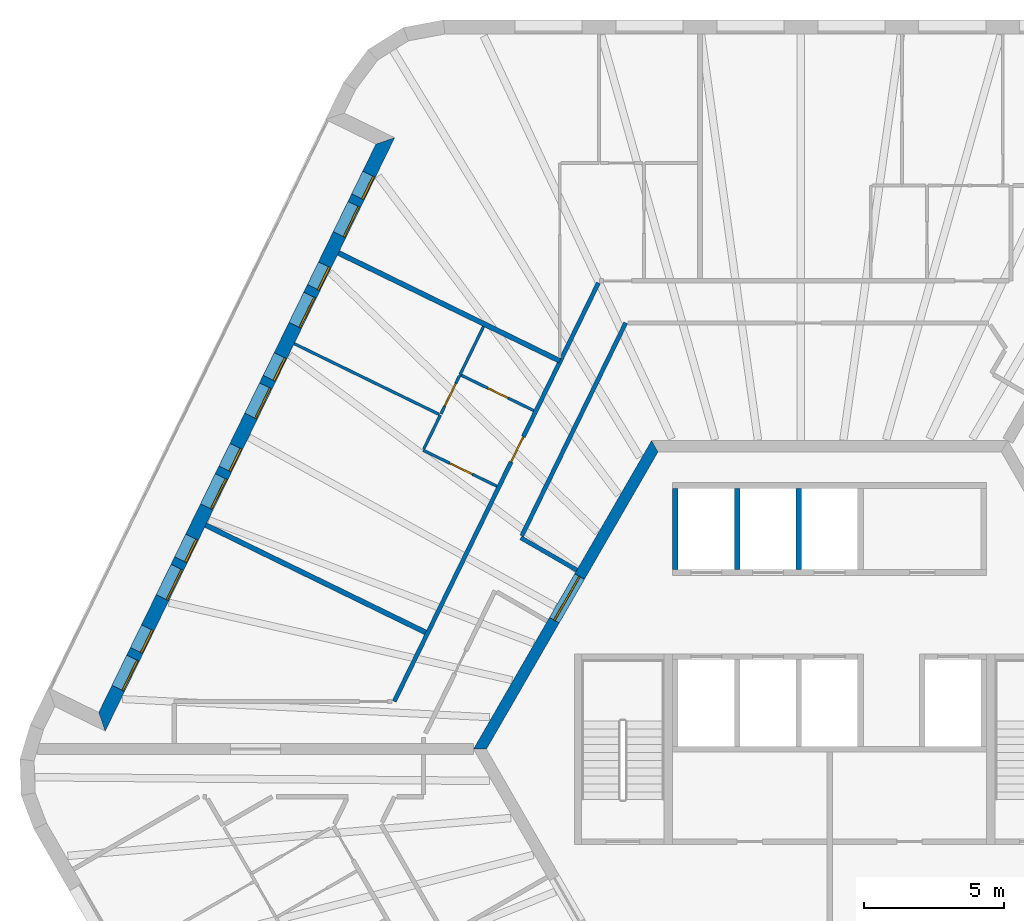
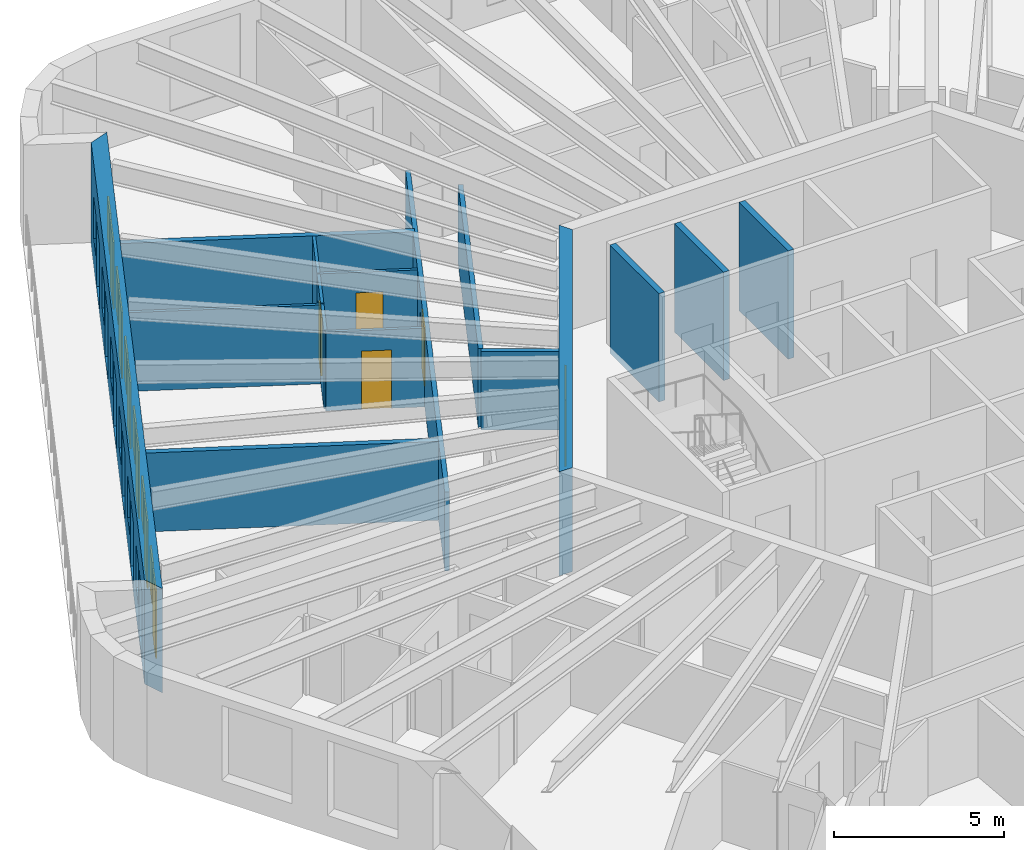
# One storey, part 8 of 12: 16 walls, 11 doors, 6 windows, 17 openings.
"""IFC4 building model written with IfcOpenShell, lengths in metres."""

from ifc_helpers import new_model, si_unit, direction, frame, frame_2d, origin, place, context, subcontext, project, spatial, polyline, rectangle, outline, extrude, material, layer, layer_set, type_object, element, fill, save


model = new_model("IFC4")

# Units and contexts
model_context = context("Model", 3, precision=1e-05, world=origin(), true_north=direction((0.0, 1.0)))
body_context = subcontext(model_context, "Body", "Model", "MODEL_VIEW")
ifc_project = project(units=[si_unit("LENGTHUNIT", "METRE"), si_unit("AREAUNIT", "SQUARE_METRE"), si_unit("VOLUMEUNIT", "CUBIC_METRE"), si_unit("PLANEANGLEUNIT", "RADIAN"), si_unit("MASSUNIT", "GRAM", prefix="KILO")], contexts=[model_context])

# Site, building, storey
site_placement = place(None, origin())
site = spatial("IfcSite", under=ifc_project, at=site_placement, CompositionType="ELEMENT")
building_placement = place(site_placement, origin())
building = spatial("IfcBuilding", under=site, at=building_placement, Name="Tarnside Tower", CompositionType="ELEMENT")
storey_placement = place(building_placement, frame((0.0, 0.0, 334.199951171875)))
storey = spatial("IfcBuildingStorey", under=building, at=storey_placement, Name="L81", CompositionType="ELEMENT", Elevation=334.199951171875)

# Wall, opening, door
ifc_material_1 = material(Name="Gypsum board partition on steel studs", Category="steel")
ifc_layer_1 = layer(ifc_material_1, 0.10009765625)
ifc_layer_set_1 = layer_set([ifc_layer_1], Name="Bathroom wall 100")
wall_type_1 = type_object("IfcWallType", Name="Bathroom wall 100", PredefinedType="PARTITIONING", material=ifc_layer_set_1)
wall_1_placement = place(storey_placement, frame((-10.551025390625, 12.07177734375, 0.0), z_axis=(0.0, 0.0, 1.0), x_axis=(-0.898790906006, 0.438377585285, 0.0)))
wall_1 = element("IfcWall", 1, at=wall_1_placement, inside=storey, type_object=wall_type_1, Name="Bathroom wall 26106", PredefinedType="PARTITIONING", context=body_context, shape_type="SweptSolid", body=[
    extrude(rectangle(XDim=2.925048828125, YDim=0.10009765625, at=frame_2d((1.46240234375, 0.0))), origin(), (0.0, 0.0, 1.0), 2.837890625),
])
opening_1_placement = place(wall_1_placement, frame((1.02490234375, 0.0, 0.0)))
opening_1 = element("IfcOpeningElement", 2, at=opening_1_placement, cuts=wall_1, Name="Opening D-B1", PredefinedType="OPENING", context=body_context, shape_type="SweptSolid", body=[
    extrude(rectangle(XDim=0.800048828125, YDim=2.10009765625, at=frame_2d((0.39990234375, 1.050048828125))), frame((0.0, 0.06005859375, 0.0), z_axis=(0.0, -1.0, 0.0), x_axis=(1.0, 0.0, 0.0)), (0.0, 0.0, 1.0), 0.1201171875),
])
ifc_material_2 = material(Name="Timber door leaf", Category="wood")
door_type_1 = type_object("IfcDoorType", Name="Bathroom door 800", OperationType="NOTDEFINED", PredefinedType="DOOR", material=ifc_material_2)
door_1_placement = place(opening_1_placement, origin())
door_1 = element("IfcDoor", 3, at=door_1_placement, inside=storey, type_object=door_type_1, Name="Bathroom door 26015", OperationType="SINGLE_SWING_RIGHT", OverallHeight=2.10009765625, OverallWidth=0.800048828125, PredefinedType="DOOR", context=body_context, shape_type="SweptSolid", body=[
    extrude(rectangle(XDim=0.800048828125, YDim=2.10009765625, at=frame_2d((0.39990234375, 1.050048828125))), frame((0.0, 0.02490234375, 0.0), z_axis=(0.0, -1.0, 0.0), x_axis=(1.0, 0.0, 0.0)), (0.0, 0.0, 1.0), 0.050048828125),
])
fill(opening_1, door_1)

# Wall
wall_2_placement = place(storey_placement, frame((-12.342529296875, 15.070556640625, 0.0), z_axis=(0.0, 0.0, 1.0), x_axis=(-0.438458849983, -0.898751265296, 0.0)))
element("IfcWall", 4, at=wall_2_placement, inside=storey, type_object=wall_type_1, Name="Bathroom wall 26108", PredefinedType="PARTITIONING", context=body_context, shape_type="SweptSolid", body=[
    extrude(rectangle(XDim=1.912109375, YDim=0.10009765625, at=frame_2d((0.9560546875, 0.0))), origin(), (0.0, 0.0, 1.0), 2.837890625),
])

# Wall, opening, door
ifc_material_3 = material(Name="Concrete C60/75", Category="concrete")
ifc_layer_2 = layer(ifc_material_3, 0.39990234375)
ifc_layer_set_2 = layer_set([ifc_layer_2], Name="Core wall Z3 400 C60/75")
wall_type_2 = type_object("IfcWallType", Name="Core wall Z3 400 C60/75", PredefinedType="SHEAR", material=ifc_layer_set_2)
wall_3_placement = place(storey_placement, frame((-6.2353515625, 10.800048828125, -0.14990234375), z_axis=(0.0, 0.0, 1.0), x_axis=(-0.499996419489, -0.866027470984, 0.0)))
wall_3 = element("IfcWall", 5, at=wall_3_placement, inside=storey, type_object=wall_type_2, Name="L81 core wall face 2", PredefinedType="SHEAR", context=body_context, shape_type="SweptSolid", body=[
    extrude(outline(polyline([(-0.115478515625, -0.199951171875), (12.586181640625, -0.199951171875), (12.355224609375, 0.199951171875), (0.115478515625, 0.199951171875), (-0.115478515625, -0.199951171875)])), origin(), (0.0, 0.0, 1.0), 3.75),
])
opening_2_placement = place(wall_3_placement, frame((5.3642578125, 0.0, 0.14990234375)))
opening_2 = element("IfcOpeningElement", 6, at=opening_2_placement, cuts=wall_3, Name="Opening CD-LOB", PredefinedType="OPENING", context=body_context, shape_type="SweptSolid", body=[
    extrude(rectangle(XDim=1.800048828125, YDim=2.39990234375, at=frame_2d((0.89990234375, 1.199951171875))), frame((0.0, 0.2099609375, 0.0), z_axis=(0.0, -1.0, 0.0), x_axis=(1.0, 0.0, 0.0)), (0.0, 0.0, 1.0), 0.419921875),
])
ifc_material_4 = material(Name="Steel fire door", Category="steel")
door_type_2 = type_object("IfcDoorType", Name="Lobby double door FD30S 1800x2400", OperationType="NOTDEFINED", PredefinedType="DOOR", material=ifc_material_4)
door_2_placement = place(opening_2_placement, origin())
door_2 = element("IfcDoor", 7, at=door_2_placement, inside=storey, type_object=door_type_2, Name="L81 core door P1", OperationType="DOUBLE_DOOR_SINGLE_SWING", OverallHeight=2.39990234375, OverallWidth=1.800048828125, PredefinedType="DOOR", context=body_context, shape_type="SweptSolid", body=[
    extrude(rectangle(XDim=1.800048828125, YDim=2.39990234375, at=frame_2d((0.89990234375, 1.199951171875))), frame((0.0, 0.02490234375, 0.0), z_axis=(0.0, -1.0, 0.0), x_axis=(1.0, 0.0, 0.0)), (0.0, 0.0, 1.0), 0.050048828125),
])
fill(opening_2, door_2)

ifc_layer_3 = layer(ifc_material_1, 0.14990234375)
ifc_layer_set_3 = layer_set([ifc_layer_3], Name="Corridor wall 150 EI 60")
wall_type_3 = type_object("IfcWallType", Name="Corridor wall 150 EI 60", PredefinedType="PARTITIONING", material=ifc_layer_set_3)
wall_4_placement = place(storey_placement, frame((-8.24658203125, 16.625, 0.0), z_axis=(0.0, 0.0, 1.0), x_axis=(-0.438376416131, -0.89879147625, 0.0)))
wall_4 = element("IfcWall", 8, at=wall_4_placement, inside=storey, type_object=wall_type_3, Name="Corridor wall 26009", PredefinedType="PARTITIONING", context=body_context, shape_type="SweptSolid", body=[
    extrude(rectangle(XDim=16.605712890625, YDim=0.14990234375, at=frame_2d((8.302734375, 0.0))), origin(), (0.0, 0.0, 1.0), 2.837890625),
])
opening_3_placement = place(wall_4_placement, frame((6.1025390625, 0.0, 0.0)))
opening_3 = element("IfcOpeningElement", 9, at=opening_3_placement, cuts=wall_4, Name="Opening D-E1", PredefinedType="OPENING", context=body_context, shape_type="SweptSolid", body=[
    extrude(rectangle(XDim=1.0, YDim=2.10009765625, at=frame_2d((0.5, 1.050048828125))), frame((0.0, 0.0849609375, 0.0), z_axis=(0.0, -1.0, 0.0), x_axis=(1.0, 0.0, 0.0)), (0.0, 0.0, 1.0), 0.169921875),
])
door_type_3 = type_object("IfcDoorType", Name="Unit entrance door 1000 FD30S", OperationType="NOTDEFINED", PredefinedType="DOOR", material=ifc_material_2)
door_3_placement = place(opening_3_placement, origin())
door_3 = element("IfcDoor", 10, at=door_3_placement, inside=storey, type_object=door_type_3, Name="Unit door 26014", OperationType="SINGLE_SWING_LEFT", OverallHeight=2.10009765625, OverallWidth=1.0, PredefinedType="DOOR", context=body_context, shape_type="SweptSolid", body=[
    extrude(rectangle(XDim=1.0, YDim=2.10009765625, at=frame_2d((0.5, 1.050048828125))), frame((0.0, 0.02490234375, 0.0), z_axis=(0.0, -1.0, 0.0), x_axis=(1.0, 0.0, 0.0)), (0.0, 0.0, 1.0), 0.050048828125),
])
fill(opening_3, door_3)

# Walls
wall_5_placement = place(storey_placement, frame((-9.015625, 6.38427734375, 0.0), z_axis=(0.0, 0.0, 1.0), x_axis=(-0.866030286288, 0.49999154316, 0.0)))
element("IfcWall", 11, at=wall_5_placement, inside=storey, type_object=wall_type_3, Name="Corridor wall 26017", PredefinedType="PARTITIONING", context=body_context, shape_type="SweptSolid", body=[
    extrude(rectangle(XDim=2.3037109375, YDim=0.14990234375, at=frame_2d((1.15185546875, 0.0))), origin(), (0.0, 0.0, 1.0), 2.837890625),
])
wall_6_placement = place(storey_placement, frame((-10.977783203125, 7.603759765625, 0.0), z_axis=(0.0, 0.0, 1.0), x_axis=(0.43838720727, 0.898786212902, 0.0)))
element("IfcWall", 12, at=wall_6_placement, inside=storey, type_object=wall_type_3, Name="Corridor wall 26018", PredefinedType="PARTITIONING", context=body_context, shape_type="SweptSolid", body=[
    extrude(rectangle(XDim=8.45166015625, YDim=0.14990234375, at=frame_2d((4.225830078125, 0.0))), origin(), (0.0, 0.0, 1.0), 2.837890625),
])
ifc_layer_4 = layer(ifc_material_1, 0.179931640625)
ifc_layer_set_4 = layer_set([ifc_layer_4], Name="Demising wall 180 EI 60")
wall_type_4 = type_object("IfcWallType", Name="Demising wall 180 EI 60", PredefinedType="PARTITIONING", material=ifc_layer_set_4)
wall_7_placement = place(storey_placement, frame((-17.51611328125, 17.694091796875, 0.0), z_axis=(0.0, 0.0, 1.0), x_axis=(0.898787414812, -0.438384743092, 0.0)))
element("IfcWall", 13, at=wall_7_placement, inside=storey, type_object=wall_type_4, Name="Demising wall 26097", PredefinedType="PARTITIONING", context=body_context, shape_type="SweptSolid", body=[
    extrude(rectangle(XDim=8.781982421875, YDim=0.179931640625, at=frame_2d((4.39111328125, 0.0))), origin(), (0.0, 0.0, 1.0), 2.837890625),
])
wall_8_placement = place(storey_placement, frame((-22.25048828125, 7.987060546875, 0.0), z_axis=(0.0, 0.0, 1.0), x_axis=(0.898793723754, -0.438371808105, 0.0)))
element("IfcWall", 14, at=wall_8_placement, inside=storey, type_object=wall_type_4, Name="Demising wall 26105", PredefinedType="PARTITIONING", context=body_context, shape_type="SweptSolid", body=[
    extrude(rectangle(XDim=8.724853515625, YDim=0.179931640625, at=frame_2d((4.3623046875, 0.0))), origin(), (0.0, 0.0, 1.0), 2.837890625),
])
ifc_material_5 = material(Name="Concrete C40/50", Category="concrete")
ifc_layer_5 = layer(ifc_material_5, 0.199951171875)
ifc_layer_set_5 = layer_set([ifc_layer_5], Name="Lift shaft wall 200 C40/50")
wall_type_5 = type_object("IfcWallType", Name="Lift shaft wall 200 C40/50", PredefinedType="SHEAR", material=ifc_layer_set_5)
for number, where, z_axis, x_axis, name in (
    (15, (-5.5, 6.39990234375, -0.25), (0.0, 0.0, 1.0), (0.0, 1.0, 0.0), "L81 lift shaft partition R11"),
    (16, (-3.300048828125, 6.39990234375, -0.25), (0.0, 0.0, 1.0), (0.0, 1.0, 0.0), "L81 lift shaft partition R12"),
    (17, (-1.10009765625, 6.39990234375, -0.25), (0.0, 0.0, 1.0), (0.0, 1.0, 0.0), "L81 lift shaft partition R13"),
):
    element("IfcWall", number, at=place(storey_placement, frame(where, z_axis=z_axis, x_axis=x_axis)), inside=storey, type_object=wall_type_5, Name=name, PredefinedType="SHEAR", context=body_context, shape_type="SweptSolid", body=[
        extrude(rectangle(XDim=2.900146484375, YDim=0.199951171875, at=frame_2d((1.4501953125, 0.0))), origin(), (0.0, 0.0, 1.0), 3.900146484375),
    ])

# Wall, openings, doors, windows
ifc_material_6 = material(Name="Dark zinc cladding")
ifc_layer_6 = layer(ifc_material_6, 0.10205078125)
ifc_material_7 = material(Name="Concrete C60/75 precast", Category="concrete")
ifc_layer_7 = layer(ifc_material_7, 0.298095703125)
ifc_material_8 = material(Name="Mineral wool insulation")
ifc_layer_8 = layer(ifc_material_8, 0.10009765625)
ifc_layer_set_6 = layer_set([ifc_layer_6, ifc_layer_7, ifc_layer_8], Name="Loggia wall 500 zinc faced")
wall_type_6 = type_object("IfcWallType", Name="Loggia wall 500 zinc faced", PredefinedType="SOLIDWALL", material=ifc_layer_set_6)
wall_9_placement = place(storey_placement, frame((-15.845947265625, 21.6884765625, -0.14990234375), z_axis=(0.0, 0.0, 1.0), x_axis=(-0.438377502627, -0.898790946322, 0.0)))
wall_9 = element("IfcWall", 18, at=wall_9_placement, inside=storey, type_object=wall_type_6, Name="Tube wall L81 F2 back 06", PredefinedType="SOLIDWALL", context=body_context, shape_type="SweptSolid", body=[
    extrude(outline(polyline([(0.25, -0.25), (22.794677734375, -0.25), (23.294677734375, 0.25), (-0.25, 0.25), (0.25, -0.25)])), origin(), (0.0, 0.0, 1.0), 3.75),
])
opening_4_placement = place(wall_9_placement, frame((1.322509765625, 0.0, 1.050048828125)))
opening_4 = element("IfcOpeningElement", 19, at=opening_4_placement, cuts=wall_9, Name="Opening WL500", PredefinedType="OPENING", context=body_context, shape_type="SweptSolid", body=[
    extrude(rectangle(XDim=0.89990234375, YDim=1.5, at=frame_2d((0.449951171875, 0.75))), frame((0.0, 0.260009765625, 0.0), z_axis=(0.0, -1.0, 0.0), x_axis=(1.0, 0.0, 0.0)), (0.0, 0.0, 1.0), 0.52001953125),
])
opening_5_placement = place(wall_9_placement, frame((2.5224609375, 0.0, 0.14990234375)))
opening_5 = element("IfcOpeningElement", 20, at=opening_5_placement, cuts=wall_9, Name="Opening DB500", PredefinedType="OPENING", context=body_context, shape_type="SweptSolid", body=[
    extrude(rectangle(XDim=1.199951171875, YDim=2.39990234375, at=frame_2d((0.60009765625, 1.199951171875))), frame((0.0, 0.260009765625, 0.0), z_axis=(0.0, -1.0, 0.0), x_axis=(1.0, 0.0, 0.0)), (0.0, 0.0, 1.0), 0.52001953125),
])
opening_6_placement = place(wall_9_placement, frame((4.92236328125, 0.0, 1.050048828125)))
opening_6 = element("IfcOpeningElement", 21, at=opening_6_placement, cuts=wall_9, Name="Opening WL500", PredefinedType="OPENING", context=body_context, shape_type="SweptSolid", body=[
    extrude(rectangle(XDim=0.89990234375, YDim=1.5, at=frame_2d((0.449951171875, 0.75))), frame((0.0, 0.260009765625, 0.0), z_axis=(0.0, -1.0, 0.0), x_axis=(1.0, 0.0, 0.0)), (0.0, 0.0, 1.0), 0.52001953125),
])
opening_7_placement = place(wall_9_placement, frame((6.122314453125, 0.0, 0.14990234375)))
opening_7 = element("IfcOpeningElement", 22, at=opening_7_placement, cuts=wall_9, Name="Opening DB500", PredefinedType="OPENING", context=body_context, shape_type="SweptSolid", body=[
    extrude(rectangle(XDim=1.199951171875, YDim=2.39990234375, at=frame_2d((0.60009765625, 1.199951171875))), frame((0.0, 0.260009765625, 0.0), z_axis=(0.0, -1.0, 0.0), x_axis=(1.0, 0.0, 0.0)), (0.0, 0.0, 1.0), 0.52001953125),
])
opening_8_placement = place(wall_9_placement, frame((8.5224609375, 0.0, 1.050048828125)))
opening_8 = element("IfcOpeningElement", 23, at=opening_8_placement, cuts=wall_9, Name="Opening WL500", PredefinedType="OPENING", context=body_context, shape_type="SweptSolid", body=[
    extrude(rectangle(XDim=0.89990234375, YDim=1.5, at=frame_2d((0.449951171875, 0.75))), frame((0.0, 0.260009765625, 0.0), z_axis=(0.0, -1.0, 0.0), x_axis=(1.0, 0.0, 0.0)), (0.0, 0.0, 1.0), 0.52001953125),
])
opening_9_placement = place(wall_9_placement, frame((9.722412109375, 0.0, 0.14990234375)))
opening_9 = element("IfcOpeningElement", 24, at=opening_9_placement, cuts=wall_9, Name="Opening DB500", PredefinedType="OPENING", context=body_context, shape_type="SweptSolid", body=[
    extrude(rectangle(XDim=1.199951171875, YDim=2.39990234375, at=frame_2d((0.60009765625, 1.199951171875))), frame((0.0, 0.260009765625, 0.0), z_axis=(0.0, -1.0, 0.0), x_axis=(1.0, 0.0, 0.0)), (0.0, 0.0, 1.0), 0.52001953125),
])
opening_10_placement = place(wall_9_placement, frame((12.122314453125, 0.0, 1.050048828125)))
opening_10 = element("IfcOpeningElement", 25, at=opening_10_placement, cuts=wall_9, Name="Opening WL500", PredefinedType="OPENING", context=body_context, shape_type="SweptSolid", body=[
    extrude(rectangle(XDim=0.89990234375, YDim=1.5, at=frame_2d((0.449951171875, 0.75))), frame((0.0, 0.260009765625, 0.0), z_axis=(0.0, -1.0, 0.0), x_axis=(1.0, 0.0, 0.0)), (0.0, 0.0, 1.0), 0.52001953125),
])
opening_11_placement = place(wall_9_placement, frame((13.322509765625, 0.0, 0.14990234375)))
opening_11 = element("IfcOpeningElement", 26, at=opening_11_placement, cuts=wall_9, Name="Opening DB500", PredefinedType="OPENING", context=body_context, shape_type="SweptSolid", body=[
    extrude(rectangle(XDim=1.199951171875, YDim=2.39990234375, at=frame_2d((0.60009765625, 1.199951171875))), frame((0.0, 0.260009765625, 0.0), z_axis=(0.0, -1.0, 0.0), x_axis=(1.0, 0.0, 0.0)), (0.0, 0.0, 1.0), 0.52001953125),
])
opening_12_placement = place(wall_9_placement, frame((15.722412109375, 0.0, 1.050048828125)))
opening_12 = element("IfcOpeningElement", 27, at=opening_12_placement, cuts=wall_9, Name="Opening WL500", PredefinedType="OPENING", context=body_context, shape_type="SweptSolid", body=[
    extrude(rectangle(XDim=0.89990234375, YDim=1.5, at=frame_2d((0.449951171875, 0.75))), frame((0.0, 0.260009765625, 0.0), z_axis=(0.0, -1.0, 0.0), x_axis=(1.0, 0.0, 0.0)), (0.0, 0.0, 1.0), 0.52001953125),
])
opening_13_placement = place(wall_9_placement, frame((16.92236328125, 0.0, 0.14990234375)))
opening_13 = element("IfcOpeningElement", 28, at=opening_13_placement, cuts=wall_9, Name="Opening DB500", PredefinedType="OPENING", context=body_context, shape_type="SweptSolid", body=[
    extrude(rectangle(XDim=1.199951171875, YDim=2.39990234375, at=frame_2d((0.60009765625, 1.199951171875))), frame((0.0, 0.260009765625, 0.0), z_axis=(0.0, -1.0, 0.0), x_axis=(1.0, 0.0, 0.0)), (0.0, 0.0, 1.0), 0.52001953125),
])
opening_14_placement = place(wall_9_placement, frame((19.322509765625, 0.0, 1.050048828125)))
opening_14 = element("IfcOpeningElement", 29, at=opening_14_placement, cuts=wall_9, Name="Opening WL500", PredefinedType="OPENING", context=body_context, shape_type="SweptSolid", body=[
    extrude(rectangle(XDim=0.89990234375, YDim=1.5, at=frame_2d((0.449951171875, 0.75))), frame((0.0, 0.260009765625, 0.0), z_axis=(0.0, -1.0, 0.0), x_axis=(1.0, 0.0, 0.0)), (0.0, 0.0, 1.0), 0.52001953125),
])
opening_15_placement = place(wall_9_placement, frame((20.5224609375, 0.0, 0.14990234375)))
opening_15 = element("IfcOpeningElement", 30, at=opening_15_placement, cuts=wall_9, Name="Opening DB500", PredefinedType="OPENING", context=body_context, shape_type="SweptSolid", body=[
    extrude(rectangle(XDim=1.199951171875, YDim=2.39990234375, at=frame_2d((0.60009765625, 1.199951171875))), frame((0.0, 0.260009765625, 0.0), z_axis=(0.0, -1.0, 0.0), x_axis=(1.0, 0.0, 0.0)), (0.0, 0.0, 1.0), 0.52001953125),
])
ifc_material_9 = material(Name="Aluminium-framed double glazing", Category="aluminium")
door_type_4 = type_object("IfcDoorType", Name="Balcony sliding door 1200 x 2400 in 500 wall", OperationType="SLIDING_TO_LEFT", PredefinedType="DOOR", material=ifc_material_9)
door_4_placement = place(opening_5_placement, frame((0.0, 0.1748046875, 0.0)))
door_4 = element("IfcDoor", 31, at=door_4_placement, inside=storey, type_object=door_type_4, Name="E.BD.L81.F2.00", OperationType="SLIDING_TO_LEFT", OverallHeight=2.39990234375, OverallWidth=1.199951171875, PredefinedType="DOOR", context=body_context, shape_type="SweptSolid", body=[
    extrude(rectangle(XDim=1.199951171875, YDim=2.39990234375, at=frame_2d((0.60009765625, 1.199951171875))), frame((0.0, 0.02490234375, 0.0), z_axis=(0.0, -1.0, 0.0), x_axis=(1.0, 0.0, 0.0)), (0.0, 0.0, 1.0), 0.050048828125),
])
fill(opening_5, door_4)
door_5_placement = place(opening_7_placement, frame((0.0, 0.1748046875, 0.0)))
door_5 = element("IfcDoor", 32, at=door_5_placement, inside=storey, type_object=door_type_4, Name="E.BD.L81.F2.01", OperationType="SLIDING_TO_LEFT", OverallHeight=2.39990234375, OverallWidth=1.199951171875, PredefinedType="DOOR", context=body_context, shape_type="SweptSolid", body=[
    extrude(rectangle(XDim=1.199951171875, YDim=2.39990234375, at=frame_2d((0.60009765625, 1.199951171875))), frame((0.0, 0.02490234375, 0.0), z_axis=(0.0, -1.0, 0.0), x_axis=(1.0, 0.0, 0.0)), (0.0, 0.0, 1.0), 0.050048828125),
])
fill(opening_7, door_5)
door_6_placement = place(opening_9_placement, frame((0.0, 0.1748046875, 0.0)))
door_6 = element("IfcDoor", 33, at=door_6_placement, inside=storey, type_object=door_type_4, Name="E.BD.L81.F2.02", OperationType="SLIDING_TO_LEFT", OverallHeight=2.39990234375, OverallWidth=1.199951171875, PredefinedType="DOOR", context=body_context, shape_type="SweptSolid", body=[
    extrude(rectangle(XDim=1.199951171875, YDim=2.39990234375, at=frame_2d((0.60009765625, 1.199951171875))), frame((0.0, 0.02490234375, 0.0), z_axis=(0.0, -1.0, 0.0), x_axis=(1.0, 0.0, 0.0)), (0.0, 0.0, 1.0), 0.050048828125),
])
fill(opening_9, door_6)
door_7_placement = place(opening_11_placement, frame((0.0, 0.1748046875, 0.0)))
door_7 = element("IfcDoor", 34, at=door_7_placement, inside=storey, type_object=door_type_4, Name="E.BD.L81.F2.03", OperationType="SLIDING_TO_LEFT", OverallHeight=2.39990234375, OverallWidth=1.199951171875, PredefinedType="DOOR", context=body_context, shape_type="SweptSolid", body=[
    extrude(rectangle(XDim=1.199951171875, YDim=2.39990234375, at=frame_2d((0.60009765625, 1.199951171875))), frame((0.0, 0.02490234375, 0.0), z_axis=(0.0, -1.0, 0.0), x_axis=(1.0, 0.0, 0.0)), (0.0, 0.0, 1.0), 0.050048828125),
])
fill(opening_11, door_7)
door_8_placement = place(opening_13_placement, frame((0.0, 0.1748046875, 0.0)))
door_8 = element("IfcDoor", 35, at=door_8_placement, inside=storey, type_object=door_type_4, Name="E.BD.L81.F2.04", OperationType="SLIDING_TO_LEFT", OverallHeight=2.39990234375, OverallWidth=1.199951171875, PredefinedType="DOOR", context=body_context, shape_type="SweptSolid", body=[
    extrude(rectangle(XDim=1.199951171875, YDim=2.39990234375, at=frame_2d((0.60009765625, 1.199951171875))), frame((0.0, 0.02490234375, 0.0), z_axis=(0.0, -1.0, 0.0), x_axis=(1.0, 0.0, 0.0)), (0.0, 0.0, 1.0), 0.050048828125),
])
fill(opening_13, door_8)
door_9_placement = place(opening_15_placement, frame((0.0, 0.1748046875, 0.0)))
door_9 = element("IfcDoor", 36, at=door_9_placement, inside=storey, type_object=door_type_4, Name="E.BD.L81.F2.05", OperationType="SLIDING_TO_LEFT", OverallHeight=2.39990234375, OverallWidth=1.199951171875, PredefinedType="DOOR", context=body_context, shape_type="SweptSolid", body=[
    extrude(rectangle(XDim=1.199951171875, YDim=2.39990234375, at=frame_2d((0.60009765625, 1.199951171875))), frame((0.0, 0.02490234375, 0.0), z_axis=(0.0, -1.0, 0.0), x_axis=(1.0, 0.0, 0.0)), (0.0, 0.0, 1.0), 0.050048828125),
])
fill(opening_15, door_9)
window_type = type_object("IfcWindowType", Name="Loggia window 900 x 1500 in 500 wall", PartitioningType="SINGLE_PANEL", PredefinedType="WINDOW", material=ifc_material_9)
window_1_placement = place(opening_4_placement, frame((0.0, 0.179931640625, 0.0)))
window_1 = element("IfcWindow", 37, at=window_1_placement, inside=storey, type_object=window_type, Name="E.LW.L81.F2.00", OverallHeight=1.5, OverallWidth=0.89990234375, PartitioningType="SINGLE_PANEL", PredefinedType="WINDOW", context=body_context, shape_type="SweptSolid", body=[
    extrude(rectangle(XDim=0.89990234375, YDim=1.5, at=frame_2d((0.449951171875, 0.75))), frame((0.0, 0.030029296875, 0.0), z_axis=(0.0, -1.0, 0.0), x_axis=(1.0, 0.0, 0.0)), (0.0, 0.0, 1.0), 0.06005859375),
])
fill(opening_4, window_1)
window_2_placement = place(opening_6_placement, frame((0.0, 0.179931640625, 0.0)))
window_2 = element("IfcWindow", 38, at=window_2_placement, inside=storey, type_object=window_type, Name="E.LW.L81.F2.01", OverallHeight=1.5, OverallWidth=0.89990234375, PartitioningType="SINGLE_PANEL", PredefinedType="WINDOW", context=body_context, shape_type="SweptSolid", body=[
    extrude(rectangle(XDim=0.89990234375, YDim=1.5, at=frame_2d((0.449951171875, 0.75))), frame((0.0, 0.030029296875, 0.0), z_axis=(0.0, -1.0, 0.0), x_axis=(1.0, 0.0, 0.0)), (0.0, 0.0, 1.0), 0.06005859375),
])
fill(opening_6, window_2)
window_3_placement = place(opening_8_placement, frame((0.0, 0.179931640625, 0.0)))
window_3 = element("IfcWindow", 39, at=window_3_placement, inside=storey, type_object=window_type, Name="E.LW.L81.F2.02", OverallHeight=1.5, OverallWidth=0.89990234375, PartitioningType="SINGLE_PANEL", PredefinedType="WINDOW", context=body_context, shape_type="SweptSolid", body=[
    extrude(rectangle(XDim=0.89990234375, YDim=1.5, at=frame_2d((0.449951171875, 0.75))), frame((0.0, 0.030029296875, 0.0), z_axis=(0.0, -1.0, 0.0), x_axis=(1.0, 0.0, 0.0)), (0.0, 0.0, 1.0), 0.06005859375),
])
fill(opening_8, window_3)
window_4_placement = place(opening_10_placement, frame((0.0, 0.179931640625, 0.0)))
window_4 = element("IfcWindow", 40, at=window_4_placement, inside=storey, type_object=window_type, Name="E.LW.L81.F2.03", OverallHeight=1.5, OverallWidth=0.89990234375, PartitioningType="SINGLE_PANEL", PredefinedType="WINDOW", context=body_context, shape_type="SweptSolid", body=[
    extrude(rectangle(XDim=0.89990234375, YDim=1.5, at=frame_2d((0.449951171875, 0.75))), frame((0.0, 0.030029296875, 0.0), z_axis=(0.0, -1.0, 0.0), x_axis=(1.0, 0.0, 0.0)), (0.0, 0.0, 1.0), 0.06005859375),
])
fill(opening_10, window_4)
window_5_placement = place(opening_12_placement, frame((0.0, 0.179931640625, 0.0)))
window_5 = element("IfcWindow", 41, at=window_5_placement, inside=storey, type_object=window_type, Name="E.LW.L81.F2.04", OverallHeight=1.5, OverallWidth=0.89990234375, PartitioningType="SINGLE_PANEL", PredefinedType="WINDOW", context=body_context, shape_type="SweptSolid", body=[
    extrude(rectangle(XDim=0.89990234375, YDim=1.5, at=frame_2d((0.449951171875, 0.75))), frame((0.0, 0.030029296875, 0.0), z_axis=(0.0, -1.0, 0.0), x_axis=(1.0, 0.0, 0.0)), (0.0, 0.0, 1.0), 0.06005859375),
])
fill(opening_12, window_5)
window_6_placement = place(opening_14_placement, frame((0.0, 0.179931640625, 0.0)))
window_6 = element("IfcWindow", 42, at=window_6_placement, inside=storey, type_object=window_type, Name="E.LW.L81.F2.05", OverallHeight=1.5, OverallWidth=0.89990234375, PartitioningType="SINGLE_PANEL", PredefinedType="WINDOW", context=body_context, shape_type="SweptSolid", body=[
    extrude(rectangle(XDim=0.89990234375, YDim=1.5, at=frame_2d((0.449951171875, 0.75))), frame((0.0, 0.030029296875, 0.0), z_axis=(0.0, -1.0, 0.0), x_axis=(1.0, 0.0, 0.0)), (0.0, 0.0, 1.0), 0.06005859375),
])
fill(opening_14, window_6)

# Wall, opening, door
ifc_layer_9 = layer(ifc_material_1, 0.10009765625)
ifc_layer_set_7 = layer_set([ifc_layer_9], Name="Partition 100")
wall_type_7 = type_object("IfcWallType", Name="Partition 100", PredefinedType="PARTITIONING", material=ifc_layer_set_7)
wall_10_placement = place(storey_placement, frame((-11.865966796875, 9.375244140625, 0.0), z_axis=(0.0, 0.0, 1.0), x_axis=(-0.89880694479, 0.438344699976, 0.0)))
wall_10 = element("IfcWall", 43, at=wall_10_placement, inside=storey, type_object=wall_type_7, Name="Partition wall 26102", PredefinedType="PARTITIONING", context=body_context, shape_type="SweptSolid", body=[
    extrude(rectangle(XDim=2.925048828125, YDim=0.10009765625, at=frame_2d((1.46240234375, 0.0))), origin(), (0.0, 0.0, 1.0), 2.837890625),
])
opening_16_placement = place(wall_10_placement, frame((0.97509765625, 0.0, 0.0)))
opening_16 = element("IfcOpeningElement", 44, at=opening_16_placement, cuts=wall_10, Name="Opening D-I1", PredefinedType="OPENING", context=body_context, shape_type="SweptSolid", body=[
    extrude(rectangle(XDim=0.89990234375, YDim=2.10009765625, at=frame_2d((0.449951171875, 1.050048828125))), frame((0.0, 0.06005859375, 0.0), z_axis=(0.0, -1.0, 0.0), x_axis=(1.0, 0.0, 0.0)), (0.0, 0.0, 1.0), 0.1201171875),
])
door_type_5 = type_object("IfcDoorType", Name="Internal door 900", OperationType="NOTDEFINED", PredefinedType="DOOR", material=ifc_material_2)
door_10_placement = place(opening_16_placement, origin())
door_10 = element("IfcDoor", 45, at=door_10_placement, inside=storey, type_object=door_type_5, Name="Internal door 26016", OperationType="SINGLE_SWING_RIGHT", OverallHeight=2.10009765625, OverallWidth=0.89990234375, PredefinedType="DOOR", context=body_context, shape_type="SweptSolid", body=[
    extrude(rectangle(XDim=0.89990234375, YDim=2.10009765625, at=frame_2d((0.449951171875, 1.050048828125))), frame((0.0, 0.02490234375, 0.0), z_axis=(0.0, -1.0, 0.0), x_axis=(1.0, 0.0, 0.0)), (0.0, 0.0, 1.0), 0.050048828125),
])
fill(opening_16, door_10)

# Walls
wall_11_placement = place(storey_placement, frame((-14.47314453125, 10.702392578125, 0.0), z_axis=(0.0, 0.0, 1.0), x_axis=(0.43838094449, 0.898789267575, 0.0)))
element("IfcWall", 46, at=wall_11_placement, inside=storey, type_object=wall_type_7, Name="Partition wall 26103", PredefinedType="PARTITIONING", context=body_context, shape_type="SweptSolid", body=[
    extrude(rectangle(XDim=1.352294921875, YDim=0.10009765625, at=frame_2d((0.67626953125, 0.0))), origin(), (0.0, 0.0, 1.0), 2.837890625),
])
wall_12_placement = place(storey_placement, frame((-13.92626953125, 11.937744140625, 0.0), z_axis=(0.0, 0.0, 1.0), x_axis=(-0.898782727556, 0.438394352892, 0.0)))
element("IfcWall", 47, at=wall_12_placement, inside=storey, type_object=wall_type_7, Name="Partition wall 26104", PredefinedType="PARTITIONING", context=body_context, shape_type="SweptSolid", body=[
    extrude(rectangle(XDim=5.75, YDim=0.10009765625, at=frame_2d((2.875, 0.0))), origin(), (0.0, 0.0, 1.0), 2.837890625),
])

# Wall, opening, door
wall_13_placement = place(storey_placement, frame((-13.200927734375, 13.310791015625, 0.0), z_axis=(0.0, 0.0, 1.0), x_axis=(-0.438349979378, -0.898804370027, 0.0)))
wall_13 = element("IfcWall", 48, at=wall_13_placement, inside=storey, type_object=wall_type_7, Name="Partition wall 26107", PredefinedType="PARTITIONING", context=body_context, shape_type="SweptSolid", body=[
    extrude(rectangle(XDim=1.502197265625, YDim=0.10009765625, at=frame_2d((0.7509765625, 0.0))), origin(), (0.0, 0.0, 1.0), 2.837890625),
])
opening_17_placement = place(wall_13_placement, frame((0.302001953125, 0.0, 0.0)))
opening_17 = element("IfcOpeningElement", 49, at=opening_17_placement, cuts=wall_13, Name="Opening D-I1", PredefinedType="OPENING", context=body_context, shape_type="SweptSolid", body=[
    extrude(rectangle(XDim=0.89990234375, YDim=2.10009765625, at=frame_2d((0.449951171875, 1.050048828125))), frame((0.0, 0.06005859375, 0.0), z_axis=(0.0, -1.0, 0.0), x_axis=(1.0, 0.0, 0.0)), (0.0, 0.0, 1.0), 0.1201171875),
])
door_11_placement = place(opening_17_placement, origin())
door_11 = element("IfcDoor", 50, at=door_11_placement, inside=storey, type_object=door_type_5, Name="Internal door 26017", OperationType="SINGLE_SWING_RIGHT", OverallHeight=2.10009765625, OverallWidth=0.89990234375, PredefinedType="DOOR", context=body_context, shape_type="SweptSolid", body=[
    extrude(rectangle(XDim=0.89990234375, YDim=2.10009765625, at=frame_2d((0.449951171875, 1.050048828125))), frame((0.0, 0.02490234375, 0.0), z_axis=(0.0, -1.0, 0.0), x_axis=(1.0, 0.0, 0.0)), (0.0, 0.0, 1.0), 0.050048828125),
])
fill(opening_17, door_11)

save(model, "model.ifc")
